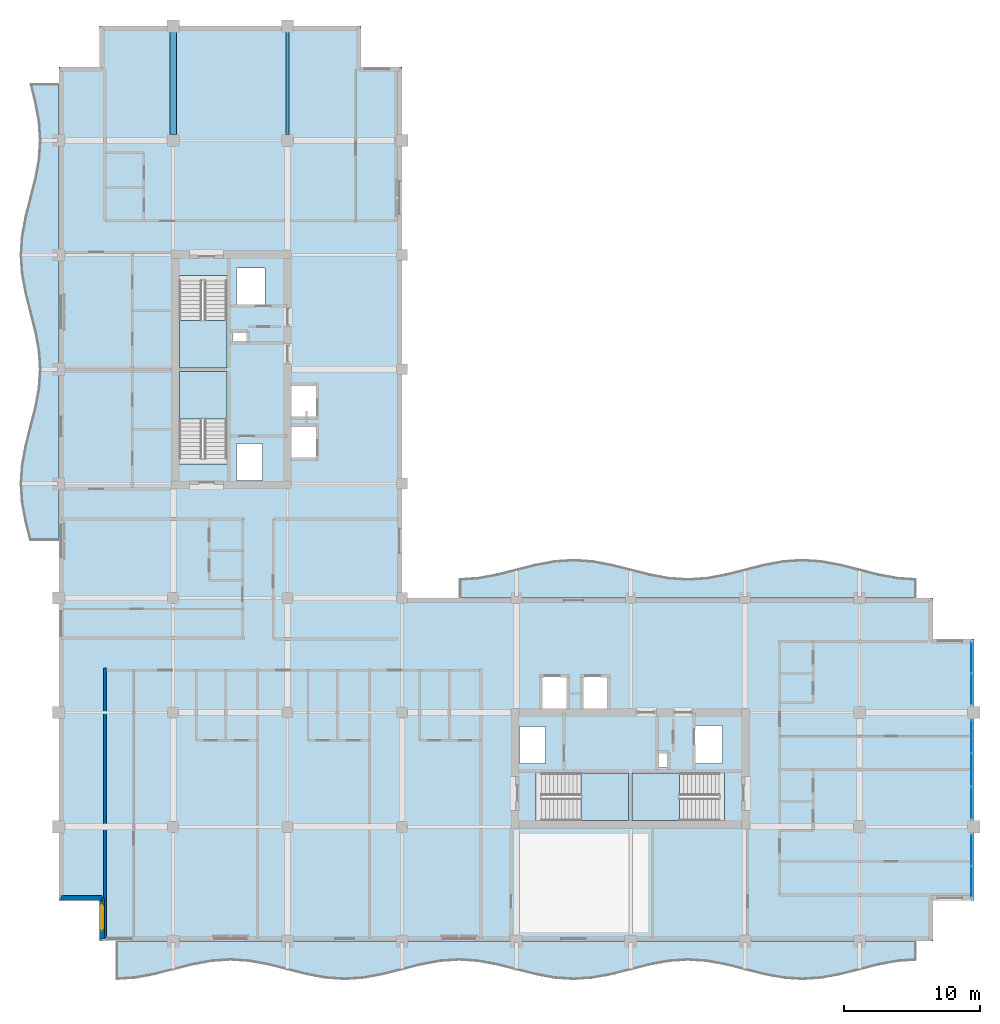
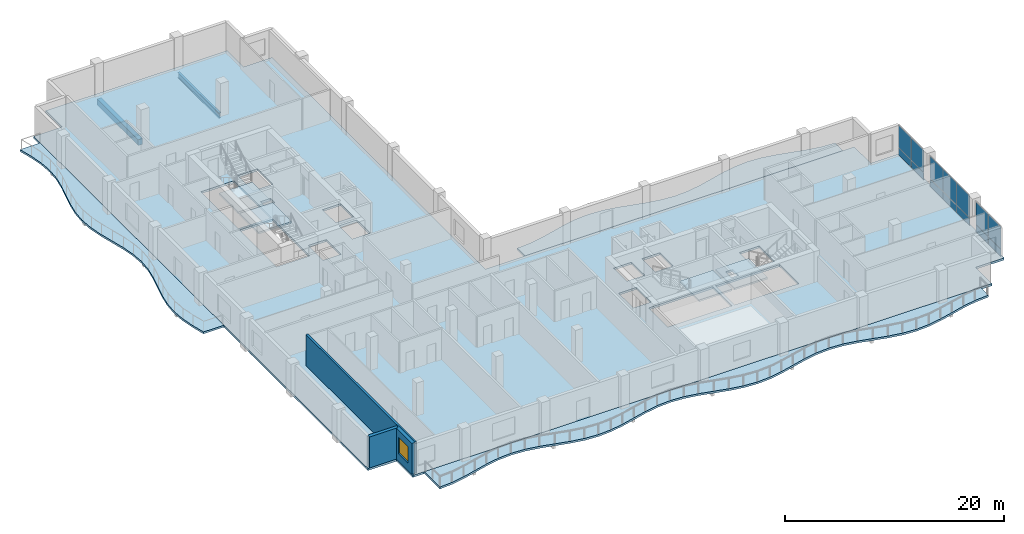
# One storey, part 5 of 16: 14 plates, 8 slabs, 3 walls, 2 beams, 1 window, 1 opening, 7 elements without a shape of their own.
"""IFC4 building model written with IfcOpenShell, lengths in metres."""

from ifc_helpers import new_model, si_unit, direction, frame, frame_2d, origin, origin_2d, place, context, subcontext, project, spatial, polyline, rectangle, i_section, outline, extrude, material, layer, layer_set, material_profile, profile_set, type_object, element, fill, aggregate, save


model = new_model("IFC4")

# Units and contexts
model_context = context("Model", 3, precision=1e-05, world=origin(), true_north=direction((0.0, 1.0)))
body_context = subcontext(model_context, "Body", "Model", "MODEL_VIEW")
ifc_project = project(units=[si_unit("LENGTHUNIT", "METRE"), si_unit("AREAUNIT", "SQUARE_METRE"), si_unit("VOLUMEUNIT", "CUBIC_METRE"), si_unit("PLANEANGLEUNIT", "RADIAN"), si_unit("MASSUNIT", "GRAM", prefix="KILO")], contexts=[model_context])

# Site, building, storey
site_placement = place(None, origin())
site = spatial("IfcSite", under=ifc_project, at=site_placement, CompositionType="ELEMENT")
building_placement = place(site_placement, origin())
building = spatial("IfcBuilding", under=site, at=building_placement, Name="Koriwani Terraces Tower", CompositionType="ELEMENT")
storey_placement = place(building_placement, frame((0.0, 0.0, 245.300048828125)))
storey = spatial("IfcBuildingStorey", under=building, at=storey_placement, Name="L60", CompositionType="ELEMENT", Elevation=245.300048828125)

# Beams
ifc_material_1 = material(Name="Concrete C50/60", Category="concrete")
ifc_material_profile_1 = material_profile(ifc_material_1, rectangle(XDim=0.449951171875, YDim=0.64990234375, at=origin_2d()), Name="Concrete C50/60", Category="LoadBearing")
ifc_profile_set_1 = profile_set([ifc_material_profile_1], Name="Concrete C50/60")
beam_type_1 = type_object("IfcBeamType", Name="BEAM_RC_GRID_450X650", PredefinedType="BEAM", material=ifc_profile_set_1)
beam_1_placement = place(storey_placement, frame((16.800048828125, 67.6298828125, -0.554931640625), z_axis=(0.0, 1.0, 0.0), x_axis=(-1.0, 0.0, 0.0)))
element("IfcBeam", 1, at=beam_1_placement, inside=storey, type_object=beam_type_1, Name="L60 Grid Beam 3 (67.2-75.6m)", PredefinedType="BEAM", context=body_context, shape_type="SweptSolid", body=[
    extrude(rectangle(XDim=0.449951171875, YDim=0.64990234375, at=origin_2d()), origin(), (0.0, 0.0, 1.0), 7.5400390625),
])
ifc_material_2 = material(Name="Steel ASTM A572 Grade 50", Category="steel")
ifc_material_profile_2 = material_profile(ifc_material_2, i_section(OverallWidth=0.23095703125, OverallDepth=0.616943359375, WebThickness=0.015380859375, FlangeThickness=0.0244140625, at=origin_2d()), Name="Steel ASTM A572 Grade 50", Category="LoadBearing")
ifc_profile_set_2 = profile_set([ifc_material_profile_2], Name="Steel ASTM A572 Grade 50")
beam_type_2 = type_object("IfcBeamType", Name="STEEL_BEAM_W610X195", PredefinedType="BEAM", material=ifc_profile_set_2)
beam_2_placement = place(storey_placement, frame((25.199951171875, 67.6298828125, -0.53857421875), z_axis=(0.0, 1.0, 0.0), x_axis=(-1.0, 0.0, 0.0)))
element("IfcBeam", 2, at=beam_2_placement, inside=storey, type_object=beam_type_2, Name="L60 Grid Beam 4 (67.2-75.6m)", PredefinedType="BEAM", context=body_context, shape_type="SweptSolid", body=[
    extrude(i_section(OverallWidth=0.23095703125, OverallDepth=0.616943359375, WebThickness=0.015380859375, FlangeThickness=0.0244140625, at=origin_2d()), origin(), (0.0, 0.0, 1.0), 7.5400390625),
])

# Curtain wall, plates
ifc_material_3 = material(Name="Anodised Bronze Aluminium", Category="aluminium")
ifc_layer_1 = layer(ifc_material_3, 0.169921875, Name="Anodised Bronze Aluminium")
ifc_layer_set_1 = layer_set([ifc_layer_1], Name="Anodised Bronze Aluminium")
curtain_wall_type = type_object("IfcCurtainWallType", Name="CW_RES_ZONE4", PredefinedType="NOTDEFINED", material=ifc_layer_set_1)
curtain_wall_1_placement = place(storey_placement, origin())
curtain_wall_1 = element("IfcCurtainWall", 3, at=curtain_wall_1_placement, inside=storey, type_object=curtain_wall_type, Name="L60 Unitised Curtain Wall (E_TIP) Bay 1", PredefinedType="NOTDEFINED")
ifc_material_4 = material(Name="Tempered Laminated Low-E Glass", Category="glass")
ifc_layer_2 = layer(ifc_material_4, 0.028076171875, Name="Tempered Laminated Low-E Glass")
ifc_layer_set_2 = layer_set([ifc_layer_2], Name="Tempered Laminated Low-E Glass")
plate_type = type_object("IfcPlateType", Name="CW_PANEL_VISION_28", PredefinedType="CURTAIN_PANEL", material=ifc_layer_set_2)
plate_1_placement = place(storey_placement, frame((75.425048828125, 29.2275390625, 0.06494140625), z_axis=(0.0, 0.0, 1.0), x_axis=(0.0, -1.0, 0.0)))
plate_1 = element("IfcPlate", 4, at=plate_1_placement, type_object=plate_type, Name="CW-Z4 panel 1.1", PredefinedType="CURTAIN_PANEL", context=body_context, shape_type="SweptSolid", body=[
    extrude(rectangle(XDim=2.2451171875, YDim=0.028076171875, at=origin_2d()), origin(), (0.0, 0.0, 1.0), 0.802490234375),
])
plate_2_placement = place(storey_placement, frame((75.425048828125, 29.2275390625, 0.9326171875), z_axis=(0.0, 0.0, 1.0), x_axis=(0.0, -1.0, 0.0)))
plate_2 = element("IfcPlate", 5, at=plate_2_placement, type_object=plate_type, Name="CW-Z4 panel 1.2", PredefinedType="CURTAIN_PANEL", context=body_context, shape_type="SweptSolid", body=[
    extrude(rectangle(XDim=2.2451171875, YDim=0.028076171875, at=origin_2d()), origin(), (0.0, 0.0, 1.0), 2.472412109375),
])
plate_3_placement = place(storey_placement, frame((75.425048828125, 26.907470703125, 0.06494140625), z_axis=(0.0, 0.0, 1.0), x_axis=(0.0, -1.0, 0.0)))
plate_3 = element("IfcPlate", 6, at=plate_3_placement, type_object=plate_type, Name="CW-Z4 panel 2.1", PredefinedType="CURTAIN_PANEL", context=body_context, shape_type="SweptSolid", body=[
    extrude(rectangle(XDim=2.2451171875, YDim=0.028076171875, at=origin_2d()), origin(), (0.0, 0.0, 1.0), 0.802490234375),
])
plate_4_placement = place(storey_placement, frame((75.425048828125, 26.907470703125, 0.9326171875), z_axis=(0.0, 0.0, 1.0), x_axis=(0.0, -1.0, 0.0)))
plate_4 = element("IfcPlate", 7, at=plate_4_placement, type_object=plate_type, Name="CW-Z4 panel 2.2", PredefinedType="CURTAIN_PANEL", context=body_context, shape_type="SweptSolid", body=[
    extrude(rectangle(XDim=2.2451171875, YDim=0.028076171875, at=origin_2d()), origin(), (0.0, 0.0, 1.0), 2.472412109375),
])
aggregate(curtain_wall_1, [plate_1, plate_2, plate_3, plate_4])

curtain_wall_2_placement = place(storey_placement, origin())
curtain_wall_2 = element("IfcCurtainWall", 8, at=curtain_wall_2_placement, inside=storey, type_object=curtain_wall_type, Name="L60 Unitised Curtain Wall (E_TIP) Bay 2", PredefinedType="NOTDEFINED")
plate_5_placement = place(storey_placement, frame((75.425048828125, 23.441162109375, 0.06494140625), z_axis=(0.0, 0.0, 1.0), x_axis=(0.0, -1.0, 0.0)))
plate_5 = element("IfcPlate", 9, at=plate_5_placement, type_object=plate_type, Name="CW-Z4 panel 1.1", PredefinedType="CURTAIN_PANEL", context=body_context, shape_type="SweptSolid", body=[
    extrude(rectangle(XDim=2.347412109375, YDim=0.028076171875, at=origin_2d()), origin(), (0.0, 0.0, 1.0), 0.802490234375),
])
plate_6_placement = place(storey_placement, frame((75.425048828125, 23.441162109375, 0.9326171875), z_axis=(0.0, 0.0, 1.0), x_axis=(0.0, -1.0, 0.0)))
plate_6 = element("IfcPlate", 10, at=plate_6_placement, type_object=plate_type, Name="CW-Z4 panel 1.2", PredefinedType="CURTAIN_PANEL", context=body_context, shape_type="SweptSolid", body=[
    extrude(rectangle(XDim=2.347412109375, YDim=0.028076171875, at=origin_2d()), origin(), (0.0, 0.0, 1.0), 2.472412109375),
])
plate_7_placement = place(storey_placement, frame((75.425048828125, 21.0, 0.06494140625), z_axis=(0.0, 0.0, 1.0), x_axis=(0.0, -1.0, 0.0)))
plate_7 = element("IfcPlate", 11, at=plate_7_placement, type_object=plate_type, Name="CW-Z4 panel 2.1", PredefinedType="CURTAIN_PANEL", context=body_context, shape_type="SweptSolid", body=[
    extrude(rectangle(XDim=2.385009765625, YDim=0.028076171875, at=origin_2d()), origin(), (0.0, 0.0, 1.0), 0.802490234375),
])
plate_8_placement = place(storey_placement, frame((75.425048828125, 21.0, 0.9326171875), z_axis=(0.0, 0.0, 1.0), x_axis=(0.0, -1.0, 0.0)))
plate_8 = element("IfcPlate", 12, at=plate_8_placement, type_object=plate_type, Name="CW-Z4 panel 2.2", PredefinedType="CURTAIN_PANEL", context=body_context, shape_type="SweptSolid", body=[
    extrude(rectangle(XDim=2.385009765625, YDim=0.028076171875, at=origin_2d()), origin(), (0.0, 0.0, 1.0), 2.472412109375),
])
plate_9_placement = place(storey_placement, frame((75.425048828125, 18.558837890625, 0.06494140625), z_axis=(0.0, 0.0, 1.0), x_axis=(0.0, -1.0, 0.0)))
plate_9 = element("IfcPlate", 13, at=plate_9_placement, type_object=plate_type, Name="CW-Z4 panel 3.1", PredefinedType="CURTAIN_PANEL", context=body_context, shape_type="SweptSolid", body=[
    extrude(rectangle(XDim=2.347412109375, YDim=0.028076171875, at=origin_2d()), origin(), (0.0, 0.0, 1.0), 0.802490234375),
])
plate_10_placement = place(storey_placement, frame((75.425048828125, 18.558837890625, 0.9326171875), z_axis=(0.0, 0.0, 1.0), x_axis=(0.0, -1.0, 0.0)))
plate_10 = element("IfcPlate", 14, at=plate_10_placement, type_object=plate_type, Name="CW-Z4 panel 3.2", PredefinedType="CURTAIN_PANEL", context=body_context, shape_type="SweptSolid", body=[
    extrude(rectangle(XDim=2.347412109375, YDim=0.028076171875, at=origin_2d()), origin(), (0.0, 0.0, 1.0), 2.472412109375),
])
aggregate(curtain_wall_2, [plate_5, plate_6, plate_7, plate_8, plate_9, plate_10])

curtain_wall_3_placement = place(storey_placement, origin())
curtain_wall_3 = element("IfcCurtainWall", 15, at=curtain_wall_3_placement, inside=storey, type_object=curtain_wall_type, Name="L60 Unitised Curtain Wall (E_TIP) Bay 3", PredefinedType="NOTDEFINED")
plate_11_placement = place(storey_placement, frame((75.425048828125, 15.092529296875, 0.06494140625), z_axis=(0.0, 0.0, 1.0), x_axis=(0.0, -1.0, 0.0)))
plate_11 = element("IfcPlate", 16, at=plate_11_placement, type_object=plate_type, Name="CW-Z4 panel 1.1", PredefinedType="CURTAIN_PANEL", context=body_context, shape_type="SweptSolid", body=[
    extrude(rectangle(XDim=2.2451171875, YDim=0.028076171875, at=origin_2d()), origin(), (0.0, 0.0, 1.0), 0.802490234375),
])
plate_12_placement = place(storey_placement, frame((75.425048828125, 15.092529296875, 0.9326171875), z_axis=(0.0, 0.0, 1.0), x_axis=(0.0, -1.0, 0.0)))
plate_12 = element("IfcPlate", 17, at=plate_12_placement, type_object=plate_type, Name="CW-Z4 panel 1.2", PredefinedType="CURTAIN_PANEL", context=body_context, shape_type="SweptSolid", body=[
    extrude(rectangle(XDim=2.2451171875, YDim=0.028076171875, at=origin_2d()), origin(), (0.0, 0.0, 1.0), 2.472412109375),
])
plate_13_placement = place(storey_placement, frame((75.425048828125, 12.7724609375, 0.06494140625), z_axis=(0.0, 0.0, 1.0), x_axis=(0.0, -1.0, 0.0)))
plate_13 = element("IfcPlate", 18, at=plate_13_placement, type_object=plate_type, Name="CW-Z4 panel 2.1", PredefinedType="CURTAIN_PANEL", context=body_context, shape_type="SweptSolid", body=[
    extrude(rectangle(XDim=2.2451171875, YDim=0.028076171875, at=origin_2d()), origin(), (0.0, 0.0, 1.0), 0.802490234375),
])
plate_14_placement = place(storey_placement, frame((75.425048828125, 12.7724609375, 0.9326171875), z_axis=(0.0, 0.0, 1.0), x_axis=(0.0, -1.0, 0.0)))
plate_14 = element("IfcPlate", 19, at=plate_14_placement, type_object=plate_type, Name="CW-Z4 panel 2.2", PredefinedType="CURTAIN_PANEL", context=body_context, shape_type="SweptSolid", body=[
    extrude(rectangle(XDim=2.2451171875, YDim=0.028076171875, at=origin_2d()), origin(), (0.0, 0.0, 1.0), 2.472412109375),
])
aggregate(curtain_wall_3, [plate_11, plate_12, plate_13, plate_14])

# Slabs
ifc_material_5 = material(Name="Concrete C40/50", Category="concrete")
ifc_layer_3 = layer(ifc_material_5, 0.219970703125, Name="Concrete C40/50")
ifc_layer_set_3 = layer_set([ifc_layer_3], Name="Concrete C40/50")
slab_type_1 = type_object("IfcSlabType", Name="SLAB_BALCONY_220", PredefinedType="FLOOR", material=ifc_layer_set_3)
slab_1_placement = place(storey_placement, frame((0.0, 0.0, -0.219970703125)))
element("IfcSlab", 20, at=slab_1_placement, inside=storey, type_object=slab_type_1, Name="L60 Quilted Circular-Arc Balcony (S)", PredefinedType="FLOOR", context=body_context, shape_type="SweptSolid", body=[
    extrude(outline(polyline([(12.60009765625, 8.39990234375), (14.0, 8.39990234375), (15.39990234375, 8.39990234375), (16.800048828125, 8.39990234375), (18.199951171875, 8.39990234375), (19.60009765625, 8.39990234375), (21.0, 8.39990234375), (22.39990234375, 8.39990234375), (23.800048828125, 8.39990234375), (25.199951171875, 8.39990234375), (26.60009765625, 8.39990234375), (28.0, 8.39990234375), (29.39990234375, 8.39990234375), (30.800048828125, 8.39990234375), (32.199951171875, 8.39990234375), (33.60009765625, 8.39990234375), (35.0, 8.39990234375), (36.39990234375, 8.39990234375), (37.800048828125, 8.39990234375), (39.199951171875, 8.39990234375), (40.60009765625, 8.39990234375), (42.0, 8.39990234375), (43.39990234375, 8.39990234375), (44.800048828125, 8.39990234375), (46.199951171875, 8.39990234375), (47.60009765625, 8.39990234375), (49.0, 8.39990234375), (50.39990234375, 8.39990234375), (51.800048828125, 8.39990234375), (53.199951171875, 8.39990234375), (54.60009765625, 8.39990234375), (56.0, 8.39990234375), (57.39990234375, 8.39990234375), (58.800048828125, 8.39990234375), (60.199951171875, 8.39990234375), (61.60009765625, 8.39990234375), (63.0, 8.39990234375), (64.39990234375, 8.39990234375), (65.800048828125, 8.39990234375), (67.199951171875, 8.39990234375), (68.60009765625, 8.39990234375), (70.0, 8.39990234375), (71.39990234375, 8.39990234375), (71.39990234375, 6.969970703125), (70.0, 6.875), (68.60009765625, 6.614990234375), (67.199951171875, 6.260009765625), (65.800048828125, 5.905029296875), (64.39990234375, 5.64501953125), (63.0, 5.550048828125), (61.60009765625, 5.64501953125), (60.199951171875, 5.905029296875), (58.800048828125, 6.260009765625), (57.39990234375, 6.614990234375), (56.0, 6.875), (54.60009765625, 6.969970703125), (53.199951171875, 6.875), (51.800048828125, 6.614990234375), (50.39990234375, 6.260009765625), (49.0, 5.905029296875), (47.60009765625, 5.64501953125), (46.199951171875, 5.550048828125), (44.800048828125, 5.64501953125), (43.39990234375, 5.905029296875), (42.0, 6.260009765625), (40.60009765625, 6.614990234375), (39.199951171875, 6.875), (37.800048828125, 6.969970703125), (36.39990234375, 6.875), (35.0, 6.614990234375), (33.60009765625, 6.260009765625), (32.199951171875, 5.905029296875), (30.800048828125, 5.64501953125), (29.39990234375, 5.550048828125), (28.0, 5.64501953125), (26.60009765625, 5.905029296875), (25.199951171875, 6.260009765625), (23.800048828125, 6.614990234375), (22.39990234375, 6.875), (21.0, 6.969970703125), (19.60009765625, 6.875), (18.199951171875, 6.614990234375), (16.800048828125, 6.260009765625), (15.39990234375, 5.905029296875), (14.0, 5.64501953125), (12.60009765625, 5.550048828125), (12.60009765625, 8.39990234375)])), origin(), (0.0, 0.0, 1.0), 0.219970703125),
])
slab_2_placement = place(storey_placement, frame((0.0, 0.0, -0.219970703125)))
element("IfcSlab", 21, at=slab_2_placement, inside=storey, type_object=slab_type_1, Name="L60 Quilted Circular-Arc Balcony (W)", PredefinedType="FLOOR", context=body_context, shape_type="SweptSolid", body=[
    extrude(outline(polyline([(8.39990234375, 37.800048828125), (8.39990234375, 39.199951171875), (8.39990234375, 40.60009765625), (8.39990234375, 42.0), (8.39990234375, 43.39990234375), (8.39990234375, 44.800048828125), (8.39990234375, 46.199951171875), (8.39990234375, 47.60009765625), (8.39990234375, 49.0), (8.39990234375, 50.39990234375), (8.39990234375, 51.800048828125), (8.39990234375, 53.199951171875), (8.39990234375, 54.60009765625), (8.39990234375, 56.0), (8.39990234375, 57.39990234375), (8.39990234375, 58.800048828125), (8.39990234375, 60.199951171875), (8.39990234375, 61.60009765625), (8.39990234375, 63.0), (8.39990234375, 64.39990234375), (8.39990234375, 65.800048828125), (8.39990234375, 67.199951171875), (8.39990234375, 68.60009765625), (8.39990234375, 70.0), (8.39990234375, 71.39990234375), (6.260009765625, 71.39990234375), (6.614990234375, 70.0), (6.875, 68.60009765625), (6.969970703125, 67.199951171875), (6.875, 65.800048828125), (6.614990234375, 64.39990234375), (6.260009765625, 63.0), (5.905029296875, 61.60009765625), (5.64501953125, 60.199951171875), (5.550048828125, 58.800048828125), (5.64501953125, 57.39990234375), (5.905029296875, 56.0), (6.260009765625, 54.60009765625), (6.614990234375, 53.199951171875), (6.875, 51.800048828125), (6.969970703125, 50.39990234375), (6.875, 49.0), (6.614990234375, 47.60009765625), (6.260009765625, 46.199951171875), (5.905029296875, 44.800048828125), (5.64501953125, 43.39990234375), (5.550048828125, 42.0), (5.64501953125, 40.60009765625), (5.905029296875, 39.199951171875), (6.260009765625, 37.800048828125), (8.39990234375, 37.800048828125)])), origin(), (0.0, 0.0, 1.0), 0.219970703125),
])
slab_3_placement = place(storey_placement, frame((0.0, 0.0, -0.219970703125)))
element("IfcSlab", 22, at=slab_3_placement, inside=storey, type_object=slab_type_1, Name="L60 Quilted Circular-Arc Balcony (NE)", PredefinedType="FLOOR", context=body_context, shape_type="SweptSolid", body=[
    extrude(outline(polyline([(71.39990234375, 33.60009765625), (70.0, 33.60009765625), (68.60009765625, 33.60009765625), (67.199951171875, 33.60009765625), (65.800048828125, 33.60009765625), (64.39990234375, 33.60009765625), (63.0, 33.60009765625), (61.60009765625, 33.60009765625), (60.199951171875, 33.60009765625), (58.800048828125, 33.60009765625), (57.39990234375, 33.60009765625), (56.0, 33.60009765625), (54.60009765625, 33.60009765625), (53.199951171875, 33.60009765625), (51.800048828125, 33.60009765625), (50.39990234375, 33.60009765625), (49.0, 33.60009765625), (47.60009765625, 33.60009765625), (46.199951171875, 33.60009765625), (44.800048828125, 33.60009765625), (43.39990234375, 33.60009765625), (42.0, 33.60009765625), (40.60009765625, 33.60009765625), (39.199951171875, 33.60009765625), (37.800048828125, 33.60009765625), (37.800048828125, 35.030029296875), (39.199951171875, 35.125), (40.60009765625, 35.385009765625), (42.0, 35.739990234375), (43.39990234375, 36.094970703125), (44.800048828125, 36.35498046875), (46.199951171875, 36.449951171875), (47.60009765625, 36.35498046875), (49.0, 36.094970703125), (50.39990234375, 35.739990234375), (51.800048828125, 35.385009765625), (53.199951171875, 35.125), (54.60009765625, 35.030029296875), (56.0, 35.125), (57.39990234375, 35.385009765625), (58.800048828125, 35.739990234375), (60.199951171875, 36.094970703125), (61.60009765625, 36.35498046875), (63.0, 36.449951171875), (64.39990234375, 36.35498046875), (65.800048828125, 36.094970703125), (67.199951171875, 35.739990234375), (68.60009765625, 35.385009765625), (70.0, 35.125), (71.39990234375, 35.030029296875), (71.39990234375, 33.60009765625)])), origin(), (0.0, 0.0, 1.0), 0.219970703125),
])
ifc_layer_4 = layer(ifc_material_5, 0.22998046875, Name="Concrete C40/50")
ifc_layer_set_4 = layer_set([ifc_layer_4], Name="Concrete C40/50")
slab_type_2 = type_object("IfcSlabType", Name="SLAB_RES_TYP_230", PredefinedType="FLOOR", material=ifc_layer_set_4)
slab_4_placement = place(storey_placement, frame((0.0, 0.0, -0.22998046875)))
element("IfcSlab", 23, at=slab_4_placement, inside=storey, type_object=slab_type_2, Name="L60 Structural Floor Slab", PredefinedType="FLOOR", context=body_context, shape_type="SweptSolid", body=[
    extrude(outline(polyline([(11.39990234375, 8.39990234375), (72.60009765625, 8.39990234375), (72.60009765625, 11.39990234375), (75.60009765625, 11.39990234375), (75.60009765625, 30.60009765625), (72.60009765625, 30.60009765625), (72.60009765625, 33.60009765625), (33.60009765625, 33.60009765625), (33.60009765625, 72.60009765625), (30.60009765625, 72.60009765625), (30.60009765625, 75.60009765625), (11.39990234375, 75.60009765625), (11.39990234375, 72.60009765625), (8.39990234375, 72.60009765625), (8.39990234375, 11.39990234375), (11.39990234375, 11.39990234375), (11.39990234375, 8.39990234375)]), holes=[polyline([(17.25, 43.4599609375), (20.75, 43.4599609375), (20.75, 50.25), (17.25, 50.25), (17.25, 43.4599609375)]), polyline([(17.25, 50.5), (20.75, 50.5), (20.75, 57.2900390625), (17.25, 57.2900390625), (17.25, 50.5)]), polyline([(43.4599609375, 17.25), (50.25, 17.25), (50.25, 20.75), (43.4599609375, 20.75), (43.4599609375, 17.25)]), polyline([(50.5, 17.25), (57.2900390625, 17.25), (57.2900390625, 20.75), (50.5, 20.75), (50.5, 17.25)]), polyline([(25.449951171875, 43.85009765625), (27.35009765625, 43.85009765625), (27.35009765625, 46.25), (25.449951171875, 46.25), (25.449951171875, 43.85009765625)]), polyline([(25.449951171875, 46.85009765625), (27.35009765625, 46.85009765625), (27.35009765625, 49.25), (25.449951171875, 49.25), (25.449951171875, 46.85009765625)]), polyline([(43.85009765625, 25.449951171875), (45.75, 25.449951171875), (45.75, 27.85009765625), (43.85009765625, 27.85009765625), (43.85009765625, 25.449951171875)]), polyline([(46.85009765625, 25.449951171875), (48.75, 25.449951171875), (48.75, 27.85009765625), (46.85009765625, 27.85009765625), (46.85009765625, 25.449951171875)]), polyline([(21.449951171875, 55.050048828125), (23.550048828125, 55.050048828125), (23.550048828125, 57.85009765625), (21.449951171875, 57.85009765625), (21.449951171875, 55.050048828125)]), polyline([(55.050048828125, 21.449951171875), (57.14990234375, 21.449951171875), (57.14990234375, 24.25), (55.050048828125, 24.25), (55.050048828125, 21.449951171875)]), polyline([(21.449951171875, 42.25), (23.35009765625, 42.25), (23.35009765625, 44.949951171875), (21.449951171875, 44.949951171875), (21.449951171875, 42.25)]), polyline([(42.25, 21.449951171875), (44.14990234375, 21.449951171875), (44.14990234375, 24.14990234375), (42.25, 24.14990234375), (42.25, 21.449951171875)]), polyline([(21.14990234375, 52.419921875), (22.219970703125, 52.419921875), (22.219970703125, 53.179931640625), (21.14990234375, 53.179931640625), (21.14990234375, 52.419921875)]), polyline([(52.419921875, 21.14990234375), (53.179931640625, 21.14990234375), (53.179931640625, 22.219970703125), (52.419921875, 22.219970703125), (52.419921875, 21.14990234375)])]), origin(), (0.0, 0.0, 1.0), 0.22998046875),
])

# Stair, slab
stair_type = type_object("IfcStairType", Name="STAIR_CORE_DOGLEG_1650", PredefinedType="TWO_STRAIGHT_RUN_STAIR", material=ifc_material_5)
stair_1_placement = place(storey_placement, origin())
stair_1 = element("IfcStair", 24, at=stair_1_placement, inside=storey, type_object=stair_type, Name="L60 West Core Exit Stair 1", PredefinedType="HALF_TURN_STAIR")
ifc_layer_5 = layer(ifc_material_5, 0.199951171875, Name="Concrete C40/50")
ifc_layer_set_5 = layer_set([ifc_layer_5], Name="Concrete C40/50")
slab_type_3 = type_object("IfcSlabType", Name="SLAB_STAIR_LANDING_200", PredefinedType="LANDING", material=ifc_layer_set_5)
slab_5_placement = place(storey_placement, frame((0.0, 0.0, 1.64990234375)))
slab_5 = element("IfcSlab", 25, at=slab_5_placement, type_object=slab_type_3, Name="ST-W1 landing 1", PredefinedType="LANDING", context=body_context, shape_type="SweptSolid", body=[
    extrude(outline(polyline([(20.75, 46.75), (20.75, 50.25), (17.25, 50.25), (17.25, 46.75), (20.75, 46.75)])), origin(), (0.0, 0.0, 1.0), 0.199951171875),
])
aggregate(stair_1, [slab_5])

stair_2_placement = place(storey_placement, origin())
stair_2 = element("IfcStair", 26, at=stair_2_placement, inside=storey, type_object=stair_type, Name="L60 West Core Exit Stair 2", PredefinedType="HALF_TURN_STAIR")
slab_6_placement = place(storey_placement, frame((0.0, 0.0, 1.64990234375)))
slab_6 = element("IfcSlab", 27, at=slab_6_placement, type_object=slab_type_3, Name="ST-W2 landing 1", PredefinedType="LANDING", context=body_context, shape_type="SweptSolid", body=[
    extrude(outline(polyline([(17.25, 54.0), (17.25, 50.5), (20.75, 50.5), (20.75, 54.0), (17.25, 54.0)])), origin(), (0.0, 0.0, 1.0), 0.199951171875),
])
aggregate(stair_2, [slab_6])

stair_3_placement = place(storey_placement, origin())
stair_3 = element("IfcStair", 28, at=stair_3_placement, inside=storey, type_object=stair_type, Name="L60 East Core Exit Stair 1", PredefinedType="HALF_TURN_STAIR")
slab_7_placement = place(storey_placement, frame((0.0, 0.0, 1.64990234375)))
slab_7 = element("IfcSlab", 29, at=slab_7_placement, type_object=slab_type_3, Name="ST-E1 landing 1", PredefinedType="LANDING", context=body_context, shape_type="SweptSolid", body=[
    extrude(outline(polyline([(46.75, 17.25), (50.25, 17.25), (50.25, 20.75), (46.75, 20.75), (46.75, 17.25)])), origin(), (0.0, 0.0, 1.0), 0.199951171875),
])
aggregate(stair_3, [slab_7])

stair_4_placement = place(storey_placement, origin())
stair_4 = element("IfcStair", 30, at=stair_4_placement, inside=storey, type_object=stair_type, Name="L60 East Core Exit Stair 2", PredefinedType="HALF_TURN_STAIR")
slab_8_placement = place(storey_placement, frame((0.0, 0.0, 1.64990234375)))
slab_8 = element("IfcSlab", 31, at=slab_8_placement, type_object=slab_type_3, Name="ST-E2 landing 1", PredefinedType="LANDING", context=body_context, shape_type="SweptSolid", body=[
    extrude(outline(polyline([(54.0, 20.75), (50.5, 20.75), (50.5, 17.25), (54.0, 17.25), (54.0, 20.75)])), origin(), (0.0, 0.0, 1.0), 0.199951171875),
])
aggregate(stair_4, [slab_8])

# Wall
ifc_material_6 = material(Name="Autoclaved Cellular Concrete Blockwork", Category="masonry")
ifc_layer_6 = layer(ifc_material_6, 0.219970703125, Name="Autoclaved Cellular Concrete Blockwork")
ifc_layer_set_6 = layer_set([ifc_layer_6], Name="Autoclaved Cellular Concrete Blockwork")
wall_type_1 = type_object("IfcWallType", Name="WALL_DEMISING_220", PredefinedType="PARTITIONING", material=ifc_layer_set_6)
wall_1_placement = place(storey_placement, frame((11.800048828125, 8.60009765625, 0.0), z_axis=(0.0, 0.0, 1.0), x_axis=(0.0, 1.0, 0.0)))
element("IfcWall", 32, at=wall_1_placement, inside=storey, type_object=wall_type_1, Name="L60 Interior Wall WRDEM-L60-SW-0", PredefinedType="PARTITIONING", context=body_context, shape_type="SweptSolid", body=[
    extrude(rectangle(XDim=19.8798828125, YDim=0.219970703125, at=frame_2d((9.93994140625, 0.0))), origin(), (0.0, 0.0, 1.0), 3.469970703125),
])

# Wall, opening, window
ifc_layer_7 = layer(ifc_material_1, 0.35009765625, Name="Concrete C50/60")
ifc_layer_set_7 = layer_set([ifc_layer_7], Name="Concrete C50/60")
wall_type_2 = type_object("IfcWallType", Name="WALL_EXT_BRUTALIST_350", PredefinedType="STANDARD", material=ifc_layer_set_7)
wall_2_placement = place(storey_placement, frame((11.574951171875, 8.574951171875, 0.0), z_axis=(0.0, 0.0, 1.0), x_axis=(0.0, 1.0, 0.0)))
wall_2 = element("IfcWall", 33, at=wall_2_placement, inside=storey, type_object=wall_type_2, Name="L60 Fair-Faced Brutalist Exterior Wall (N0)", PredefinedType="STANDARD", context=body_context, shape_type="SweptSolid", body=[
    extrude(rectangle(XDim=3.0, YDim=0.35009765625, at=frame_2d((1.5, 0.0))), origin(), (0.0, 0.0, 1.0), 3.469970703125),
])
opening_placement = place(wall_2_placement, frame((0.677490234375, 0.0, 0.85009765625)))
opening = element("IfcOpeningElement", 34, at=opening_placement, cuts=wall_2, Name="Opening W-04", PredefinedType="OPENING", context=body_context, shape_type="SweptSolid", body=[
    extrude(rectangle(XDim=1.800048828125, YDim=1.800048828125, at=frame_2d((0.89990234375, 0.89990234375))), frame((0.0, 0.18505859375, 0.0), z_axis=(0.0, -1.0, 0.0), x_axis=(1.0, 0.0, 0.0)), (0.0, 0.0, 1.0), 0.3701171875),
])
window_type = type_object("IfcWindowType", Name="WIN_RES_BED_1800X1800", PartitioningType="DOUBLE_PANEL_VERTICAL", PredefinedType="WINDOW", material=ifc_material_4)
window_placement = place(opening_placement, origin())
window = element("IfcWindow", 35, at=window_placement, inside=storey, type_object=window_type, Name="L60 Exterior Window (N0-R32)", OverallHeight=1.800048828125, OverallWidth=1.800048828125, PartitioningType="SINGLE_PANEL", PredefinedType="WINDOW", context=body_context, shape_type="SweptSolid", body=[
    extrude(rectangle(XDim=1.800048828125, YDim=1.800048828125, at=frame_2d((0.89990234375, 0.89990234375))), frame((0.0, 0.030029296875, 0.0), z_axis=(0.0, -1.0, 0.0), x_axis=(1.0, 0.0, 0.0)), (0.0, 0.0, 1.0), 0.06005859375),
])
fill(opening, window)

# Wall
wall_3_placement = place(storey_placement, frame((11.574951171875, 11.574951171875, 0.0), z_axis=(0.0, 0.0, 1.0), x_axis=(-1.0, 0.0, 0.0)))
element("IfcWall", 36, at=wall_3_placement, inside=storey, type_object=wall_type_2, Name="L60 Fair-Faced Brutalist Exterior Wall (N1)", PredefinedType="STANDARD", context=body_context, shape_type="SweptSolid", body=[
    extrude(rectangle(XDim=3.0, YDim=0.35009765625, at=frame_2d((1.5, 0.0))), origin(), (0.0, 0.0, 1.0), 3.469970703125),
])

save(model, "model.ifc")
